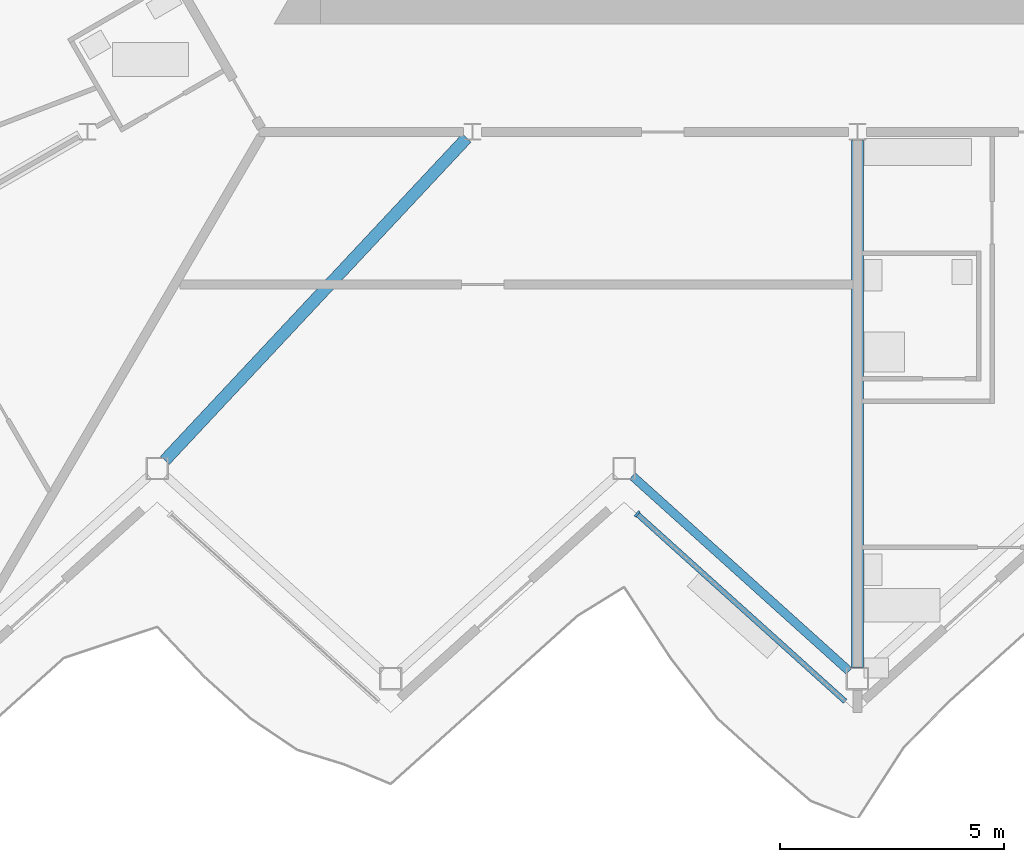
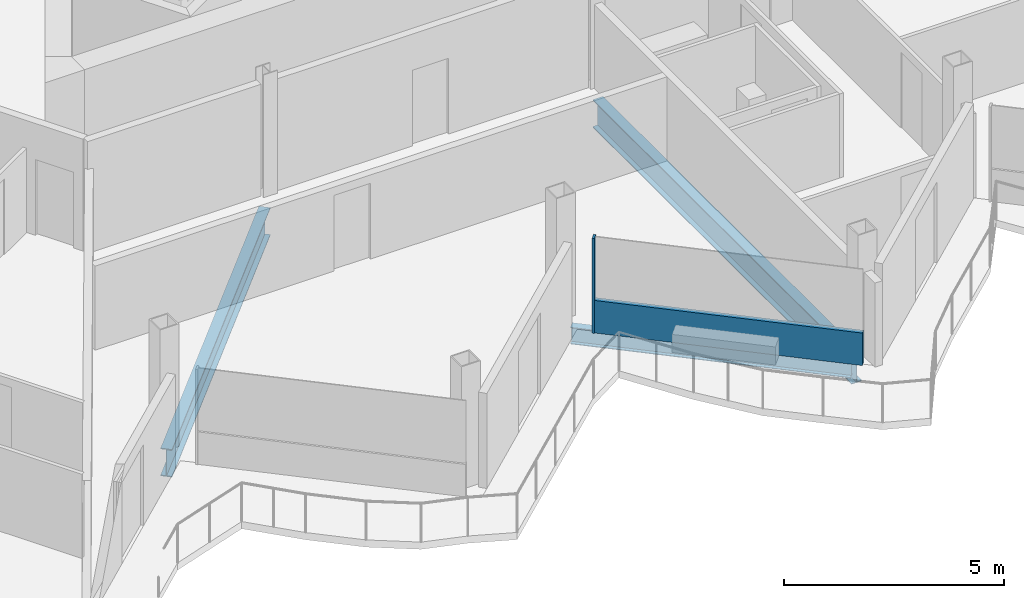
# One storey, part 5 of 26: 3 beams, 2 members, 1 element without a shape of its own.
"""IFC4 building model written with IfcOpenShell, lengths in metres."""

from ifc_helpers import new_model, si_unit, direction, frame, origin, origin_2d, place, context, subcontext, project, spatial, rectangle, i_section, extrude, material, layer, layer_set, material_profile, profile_set, type_object, element, aggregate, save


model = new_model("IFC4")

# Units and contexts
model_context = context("Model", 3, precision=1e-05, world=origin(), true_north=direction((0.0, 1.0)))
body_context = subcontext(model_context, "Body", "Model", "MODEL_VIEW")
ifc_project = project(units=[si_unit("LENGTHUNIT", "METRE"), si_unit("AREAUNIT", "SQUARE_METRE"), si_unit("VOLUMEUNIT", "CUBIC_METRE"), si_unit("PLANEANGLEUNIT", "RADIAN"), si_unit("MASSUNIT", "GRAM", prefix="KILO")], contexts=[model_context])

# Site, building, storey
site_placement = place(None, origin())
site = spatial("IfcSite", under=ifc_project, at=site_placement, CompositionType="ELEMENT")
building_placement = place(site_placement, origin())
building = spatial("IfcBuilding", under=site, at=building_placement, Name="Cormorant Prow Tower", CompositionType="ELEMENT")
storey_placement = place(building_placement, frame((0.0, 0.0, 367.800048828125)))
storey = spatial("IfcBuildingStorey", under=building, at=storey_placement, Name="L82", CompositionType="ELEMENT", Elevation=367.800048828125)

# Beams
ifc_material_1 = material(Name="Structural steel ASTM A992 Gr 50", Category="steel")
ifc_material_profile_1 = material_profile(ifc_material_1, i_section(OverallWidth=0.267822265625, OverallDepth=0.77001953125, WebThickness=0.015625, FlangeThickness=0.025390625, at=origin_2d()), Name="W30x132")
ifc_profile_set_1 = profile_set([ifc_material_profile_1], Name="Structural steel ASTM A992 Gr 50")
beam_type_1 = type_object("IfcBeamType", Name="Radial floor beam W30x132", PredefinedType="BEAM", material=ifc_profile_set_1)
beam_1_placement = place(storey_placement, frame((-8.706298828125, -10.0419921875, -0.68505859375), z_axis=(-0.683430760659, -0.730015339144, 0.0), x_axis=(0.730015339144, -0.683430760659, 0.0)))
element("IfcBeam", 1, at=beam_1_placement, inside=storey, type_object=beam_type_1, Name="Radial floor beam FB3 6 L82", PredefinedType="BEAM", context=body_context, shape_type="SweptSolid", body=[
    extrude(i_section(OverallWidth=0.267822265625, OverallDepth=0.77001953125, WebThickness=0.015625, FlangeThickness=0.025390625, at=origin_2d()), origin(), (0.0, 0.0, 1.0), 9.8369140625),
])
beam_2_placement = place(storey_placement, frame((0.0, -10.092529296875, -0.68505859375), z_axis=(0.0, -1.0, 0.0), x_axis=(1.0, 0.0, 0.0)))
element("IfcBeam", 2, at=beam_2_placement, inside=storey, type_object=beam_type_1, Name="Radial floor beam FB3 7 L82", PredefinedType="BEAM", context=body_context, shape_type="SweptSolid", body=[
    extrude(i_section(OverallWidth=0.267822265625, OverallDepth=0.77001953125, WebThickness=0.015625, FlangeThickness=0.025390625, at=origin_2d()), origin(), (0.0, 0.0, 1.0), 11.745361328125),
])

# Curtain wall, members
ifc_material_2 = material(Name="Aluminium 6063-T6", Category="aluminium")
ifc_layer = layer(ifc_material_2, 0.159912109375)
ifc_layer_set = layer_set([ifc_layer], Name="Aluminium 6063-T6")
curtain_wall_type = type_object("IfcCurtainWallType", Name="Residential unitised curtain wall 160", PredefinedType="NOTDEFINED", material=ifc_layer_set)
curtain_wall_placement = place(storey_placement, origin())
curtain_wall = element("IfcCurtainWall", 3, at=curtain_wall_placement, inside=storey, type_object=curtain_wall_type, Name="Residential curtain wall S04", PredefinedType="NOTDEFINED")
ifc_material_3 = material(Name="Aluminium 6063-T6", Category="aluminium")
ifc_material_profile_2 = material_profile(ifc_material_3, rectangle(XDim=0.159912109375, YDim=0.050048828125, at=origin_2d()), Name="Residential mullion 50x160")
ifc_profile_set_2 = profile_set([ifc_material_profile_2], Name="Aluminium 6063-T6")
member_type_1 = type_object("IfcMemberType", Name="Residential mullion 50x160", PredefinedType="MULLION", material=ifc_profile_set_2)
member_1_placement = place(storey_placement, frame((-4.909423828125, -18.4189453125, 0.0), z_axis=(0.0, 0.0, 1.0), x_axis=(0.669130682884, 0.743144756574, 0.0)))
member_1 = element("IfcMember", 4, at=member_1_placement, type_object=member_type_1, Name="Residential mullion S04", PredefinedType="MULLION", context=body_context, shape_type="SweptSolid", body=[
    extrude(rectangle(XDim=0.159912109375, YDim=0.050048828125, at=origin_2d()), origin(), (0.0, 0.0, 1.0), 2.6337890625),
])
ifc_material_4 = material(Name="Terracotta", Category="masonry")
ifc_material_profile_3 = material_profile(ifc_material_4, rectangle(XDim=0.1201171875, YDim=0.89990234375, at=origin_2d()), Name="Residential terracotta spandrel rail 120x900")
ifc_profile_set_3 = profile_set([ifc_material_profile_3], Name="Terracotta")
member_type_2 = type_object("IfcMemberType", Name="Residential terracotta spandrel rail 120x900", PredefinedType="USERDEFINED", material=ifc_profile_set_3)
member_2_placement = place(storey_placement, frame((-4.890869140625, -18.435791015625, 0.449951171875), z_axis=(0.743159360055, -0.669114463723, 0.0), x_axis=(0.669114463723, 0.743159360055, 0.0)))
member_2 = element("IfcMember", 5, at=member_2_placement, type_object=member_type_2, Name="Residential spandrel rail S04", ObjectType="TRANSOM", PredefinedType="USERDEFINED", context=body_context, shape_type="SweptSolid", body=[
    extrude(rectangle(XDim=0.1201171875, YDim=0.89990234375, at=origin_2d()), origin(), (0.0, 0.0, 1.0), 6.21533203125),
])
aggregate(curtain_wall, [member_1, member_2])

# Beam
ifc_material_5 = material(Name="Structural steel ASTM A992 Gr 50", Category="steel")
ifc_material_profile_4 = material_profile(ifc_material_5, i_section(OverallWidth=0.19287109375, OverallDepth=0.466064453125, WebThickness=0.011474609375, FlangeThickness=0.01904296875, at=origin_2d()), Name="W18x65")
ifc_profile_set_4 = profile_set([ifc_material_profile_4], Name="Structural steel ASTM A992 Gr 50")
beam_type_2 = type_object("IfcBeamType", Name="Spandrel beam W18x65", PredefinedType="SPANDREL", material=ifc_profile_set_4)
beam_3_placement = place(storey_placement, frame((-5.01416015625, -17.572998046875, -0.533203125), z_axis=(0.743131573737, -0.669145323614, 0.0), x_axis=(0.669145323614, 0.743131573737, 0.0)))
element("IfcBeam", 6, at=beam_3_placement, inside=storey, type_object=beam_type_2, Name="Spandrel beam SB4 S04-S05 L82", PredefinedType="SPANDREL", context=body_context, shape_type="SweptSolid", body=[
    extrude(i_section(OverallWidth=0.19287109375, OverallDepth=0.466064453125, WebThickness=0.011474609375, FlangeThickness=0.01904296875, at=origin_2d()), origin(), (0.0, 0.0, 1.0), 6.497314453125),
])

save(model, "model.ifc")
